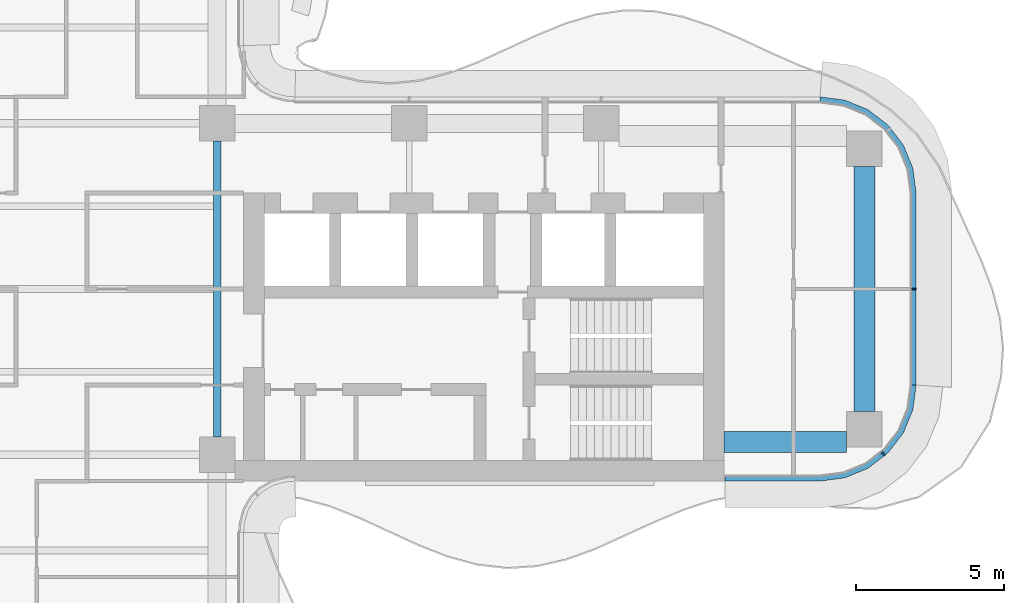
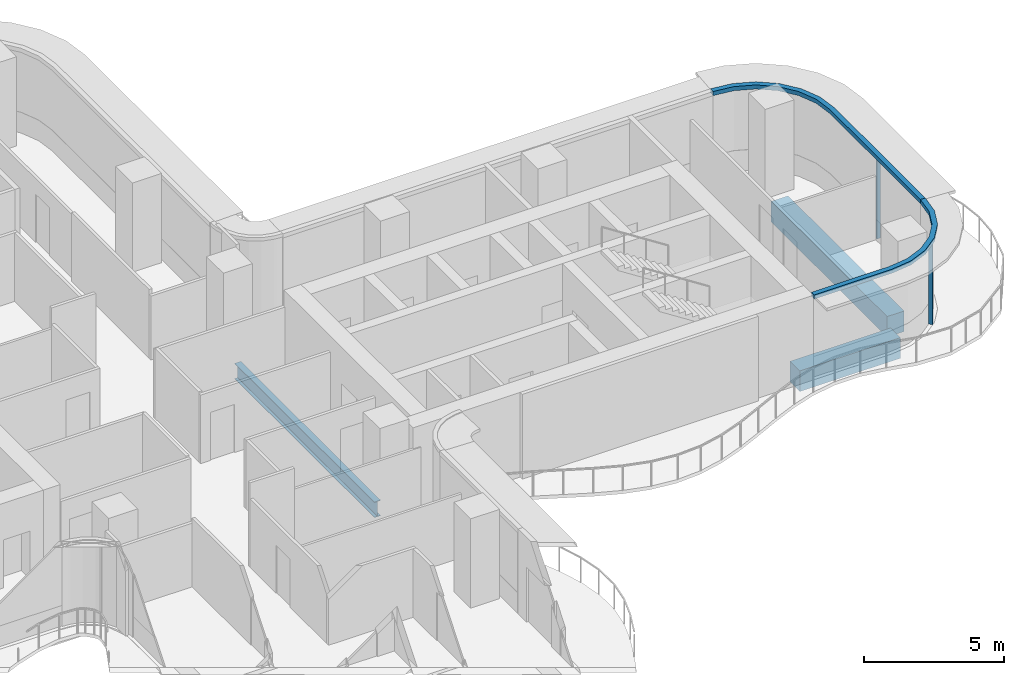
# One storey, part 6 of 18: 4 members, 3 beams, 2 elements without a shape of their own.
"""IFC4 building model written with IfcOpenShell, lengths in metres."""

from ifc_helpers import new_model, si_unit, direction, frame, origin, origin_2d, place, context, subcontext, project, spatial, polyline, rectangle, i_section, outline, extrude, source, transform, mapped, material, layer, layer_set, material_profile, profile_set, type_object, element, aggregate, save


model = new_model("IFC4")

# Units and contexts
model_context = context("Model", 3, precision=1e-05, world=origin(), true_north=direction((0.0, 1.0)))
body_context = subcontext(model_context, "Body", "Model", "MODEL_VIEW")
ifc_project = project(units=[si_unit("LENGTHUNIT", "METRE"), si_unit("AREAUNIT", "SQUARE_METRE"), si_unit("VOLUMEUNIT", "CUBIC_METRE"), si_unit("PLANEANGLEUNIT", "RADIAN"), si_unit("MASSUNIT", "GRAM", prefix="KILO")], contexts=[model_context])

# Site, building, storey
site_placement = place(None, origin())
site = spatial("IfcSite", under=ifc_project, at=site_placement, CompositionType="ELEMENT")
building_placement = place(site_placement, origin())
building = spatial("IfcBuilding", under=site, at=building_placement, Name="Trellis Farm Tower", CompositionType="ELEMENT")
storey_placement = place(building_placement, frame((0.0, 0.0, 189.300048828125)))
storey = spatial("IfcBuildingStorey", under=building, at=storey_placement, Name="L41", CompositionType="ELEMENT", Elevation=189.300048828125)

# Beams
ifc_material_1 = material(Name="Steel S355", Category="steel")
ifc_material_profile_1 = material_profile(ifc_material_1, i_section(OverallWidth=0.253662109375, OverallDepth=0.68359375, WebThickness=0.012451171875, FlangeThickness=0.021728515625, FilletRadius=0.01513671875, at=origin_2d()), Name="UB 686x254x140")
ifc_profile_set_1 = profile_set([ifc_material_profile_1], Name="Steel S355")
beam_type_1 = type_object("IfcBeamType", Name="UB 686x254x140", PredefinedType="BEAM", material=ifc_profile_set_1)
shared_shape_1 = source(origin(), body_context, "Body", "SweptSolid", [
    extrude(i_section(OverallWidth=0.253662109375, OverallDepth=0.68359375, WebThickness=0.012451171875, FlangeThickness=0.021728515625, FilletRadius=0.01513671875, at=origin_2d()), origin(), (0.0, 0.0, 1.0), 10.0),
])
beam_1_placement = place(storey_placement, frame((5.60009765625, -5.0, -0.541748046875), z_axis=(0.0, 1.0, 0.0), x_axis=(-1.0, 0.0, 0.0)))
element("IfcBeam", 1, at=beam_1_placement, inside=storey, type_object=beam_type_1, Name="Girder", PredefinedType="BEAM", context=body_context, shape_type="MappedRepresentation", body=[
    mapped(shared_shape_1, transform((0.0, 0.0, 0.0))),
])
ifc_material_2 = material(Name="Concrete C60/75", Category="concrete")
ifc_material_profile_2 = material_profile(ifc_material_2, rectangle(XDim=0.699951171875, YDim=0.89990234375, at=origin_2d()), Name="RC spandrel beam 700x900 C60/75")
ifc_profile_set_2 = profile_set([ifc_material_profile_2], Name="Concrete C60/75")
beam_type_2 = type_object("IfcBeamType", Name="RC spandrel beam 700x900 C60/75", PredefinedType="SPANDREL", material=ifc_profile_set_2)
shared_shape_2 = source(origin(), body_context, "Body", "SweptSolid", [
    extrude(rectangle(XDim=0.699951171875, YDim=0.89990234375, at=origin_2d()), origin(), (0.0, 0.0, 1.0), 8.2998046875),
])
beam_2_placement = place(storey_placement, frame((27.5, -4.14990234375, -0.650146484375), z_axis=(0.0, 1.0, 0.0), x_axis=(-1.0, 0.0, 0.0)))
element("IfcBeam", 2, at=beam_2_placement, inside=storey, type_object=beam_type_2, Name="Girder", PredefinedType="SPANDREL", context=body_context, shape_type="MappedRepresentation", body=[
    mapped(shared_shape_2, transform((0.0, 0.0, 0.0))),
])
shared_shape_3 = source(origin(), body_context, "Body", "SweptSolid", [
    extrude(rectangle(XDim=0.699951171875, YDim=0.89990234375, at=origin_2d()), origin(), (0.0, 0.0, 1.0), 4.14990234375),
])
beam_3_placement = place(storey_placement, frame((22.75, -5.175048828125, -0.650146484375), z_axis=(1.0, 0.0, 0.0), x_axis=(0.0, 1.0, 0.0)))
element("IfcBeam", 3, at=beam_3_placement, inside=storey, type_object=beam_type_2, Name="Girder", PredefinedType="SPANDREL", context=body_context, shape_type="MappedRepresentation", body=[
    mapped(shared_shape_3, transform((0.0, 0.0, 0.0))),
])

# Curtain wall, member
ifc_material_3 = material(Name="Aluminium and glass curtain wall", Category="aluminium")
ifc_layer_1 = layer(ifc_material_3, 0.18994140625)
ifc_layer_set_1 = layer_set([ifc_layer_1], Name="RIBBON CURTAIN WALL CW1")
curtain_wall_type = type_object("IfcCurtainWallType", Name="RIBBON CURTAIN WALL CW1", PredefinedType="NOTDEFINED", material=ifc_layer_set_1)
placement_1 = place(storey_placement, origin())
curtain_wall_1 = element("IfcCurtainWall", 4, at=placement_1, inside=storey, type_object=curtain_wall_type, Name="CW1 006", PredefinedType="NOTDEFINED")
ifc_material_4 = material(Name="Aluminium extrusion 6063-T6", Category="aluminium")
ifc_layer_2 = layer(ifc_material_4, 0.199951171875)
ifc_layer_set_2 = layer_set([ifc_layer_2], Name="Aluminium extrusion 6063-T6")
member_type_1 = type_object("IfcMemberType", Name="CW1 TRANSOM 200x180", PredefinedType="USERDEFINED", material=ifc_layer_set_2)
shared_shape_4 = source(origin(), body_context, "Body", "SweptSolid", [
    extrude(outline(polyline([(22.780029296875, -6.5), (26.0, -6.5), (26.841064453125, -6.38916015625), (27.625, -6.064697265625), (28.298095703125, -5.548095703125), (28.814697265625, -4.875), (29.13916015625, -4.091064453125), (29.25, -3.25), (29.050048828125, -3.23681640625), (28.9443359375, -4.0390625), (28.639892578125, -4.774169921875), (28.155517578125, -5.405517578125), (27.524169921875, -5.889892578125), (26.7890625, -6.1943359375), (25.98681640625, -6.300048828125), (22.780029296875, -6.300048828125), (22.780029296875, -6.5)])), origin(), (0.0, 0.0, 1.0), 0.179931640625),
])
placement_2 = place(storey_placement, frame((0.0, 0.0, 3.52001953125)))
member_1 = element("IfcMember", 5, at=placement_2, type_object=member_type_1, Name="TR1 006", ObjectType="TRANSOM", PredefinedType="USERDEFINED", context=body_context, shape_type="MappedRepresentation", body=[
    mapped(shared_shape_4, transform((0.0, 0.0, 0.0))),
])

curtain_wall_2 = element("IfcCurtainWall", 6, at=placement_1, inside=storey, type_object=curtain_wall_type, Name="CW1 007", PredefinedType="NOTDEFINED")
shared_shape_5 = source(origin(), body_context, "Body", "SweptSolid", [
    extrude(outline(polyline([(29.25, -3.25), (29.25, 3.25), (29.13916015625, 4.091064453125), (28.814697265625, 4.875), (28.298095703125, 5.548095703125), (27.625, 6.064697265625), (26.841064453125, 6.38916015625), (26.0, 6.5), (25.98681640625, 6.300048828125), (26.7890625, 6.1943359375), (27.524169921875, 5.889892578125), (28.155517578125, 5.405517578125), (28.639892578125, 4.774169921875), (28.9443359375, 4.0390625), (29.050048828125, 3.23681640625), (29.050048828125, -3.23681640625), (29.25, -3.25)])), origin(), (0.0, 0.0, 1.0), 0.179931640625),
])
member_2 = element("IfcMember", 7, at=placement_2, type_object=member_type_1, Name="TR1 007", ObjectType="TRANSOM", PredefinedType="USERDEFINED", context=body_context, shape_type="MappedRepresentation", body=[
    mapped(shared_shape_5, transform((0.0, 0.0, 0.0))),
])

# Member
ifc_material_profile_3 = material_profile(ifc_material_4, rectangle(XDim=0.06005859375, YDim=0.14990234375, at=origin_2d()), Name="MULLION 60x150")
ifc_profile_set_3 = profile_set([ifc_material_profile_3], Name="Aluminium extrusion 6063-T6")
member_type_2 = type_object("IfcMemberType", Name="CW1 MULLION 60x150", PredefinedType="MULLION", material=ifc_profile_set_3)
shared_shape_6 = source(origin(), body_context, "Body", "SweptSolid", [
    extrude(rectangle(XDim=0.06005859375, YDim=0.14990234375, at=origin_2d()), origin(), (0.0, 0.0, 1.0), 3.52001953125),
])
member_3_placement = place(storey_placement, frame((28.135498046875, -5.578369140625, 0.0), z_axis=(0.0, 0.0, 1.0), x_axis=(0.793353340291, 0.608761429009, 0.0)))
member_3 = element("IfcMember", 8, at=member_3_placement, type_object=member_type_2, Name="MU1 006-01", PredefinedType="MULLION", context=body_context, shape_type="MappedRepresentation", body=[
    mapped(shared_shape_6, transform((0.0, 0.0, 0.0))),
])

aggregate(curtain_wall_1, [member_3, member_1])

member_4_placement = place(storey_placement, frame((29.175048828125, 0.0, 0.0), z_axis=(0.0, 0.0, 1.0), x_axis=(0.0, 1.0, 0.0)))
member_4 = element("IfcMember", 9, at=member_4_placement, type_object=member_type_2, Name="MU1 007-01", PredefinedType="MULLION", context=body_context, shape_type="MappedRepresentation", body=[
    mapped(shared_shape_6, transform((0.0, 0.0, 0.0))),
])

aggregate(curtain_wall_2, [member_4, member_2])

save(model, "model.ifc")
